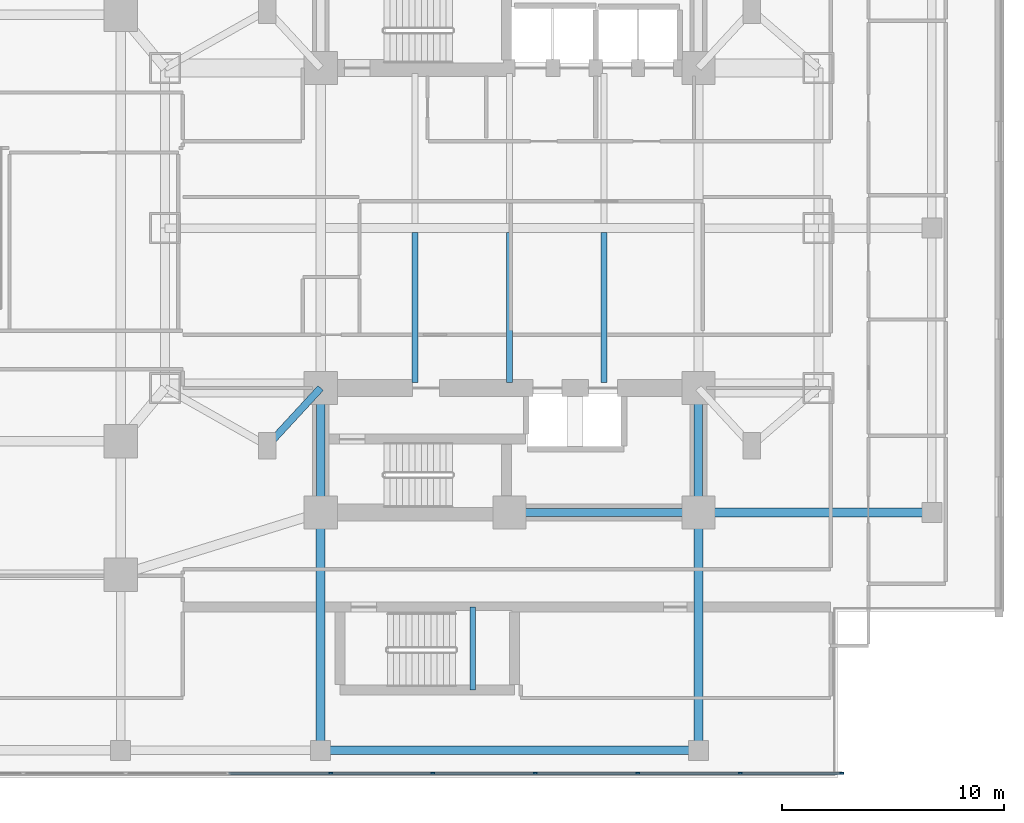
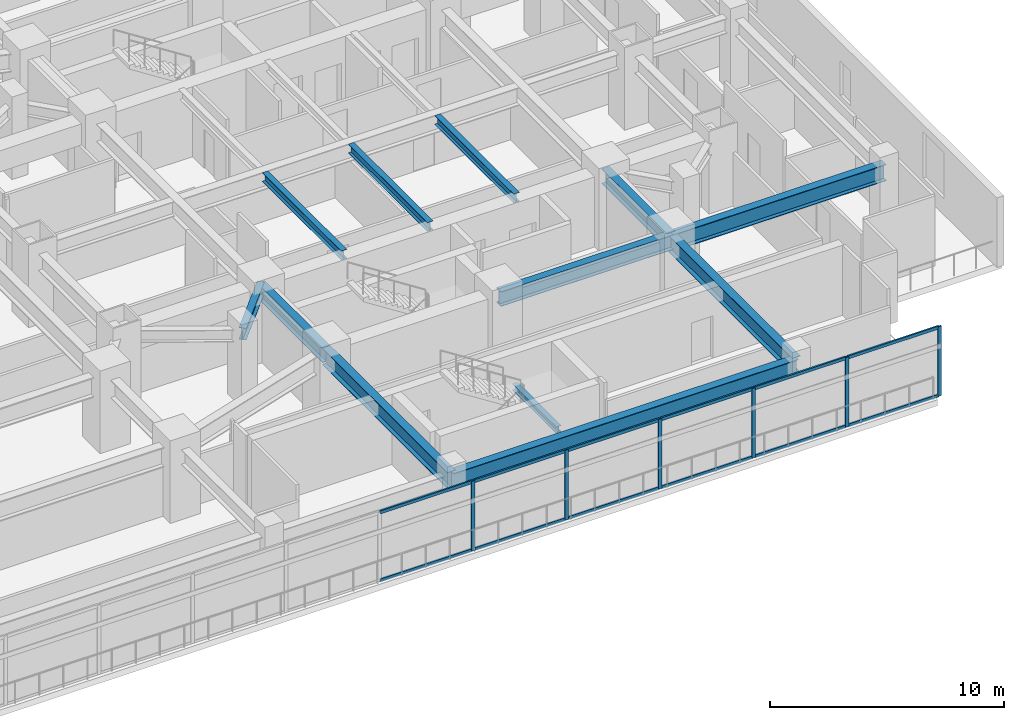
# One storey, part 8 of 26: 18 members, 12 beams, 1 element without a shape of its own.
"""IFC4 building model written with IfcOpenShell, lengths in metres."""

from ifc_helpers import new_model, si_unit, direction, frame, origin, origin_2d, place, context, subcontext, project, spatial, rectangle, i_section, extrude, material, material_profile, profile_set, type_object, element, aggregate, save


model = new_model("IFC4")

# Units and contexts
model_context = context("Model", 3, precision=1e-05, world=origin(), true_north=direction((0.0, 1.0)))
body_context = subcontext(model_context, "Body", "Model", "MODEL_VIEW")
ifc_project = project(units=[si_unit("LENGTHUNIT", "METRE"), si_unit("AREAUNIT", "SQUARE_METRE"), si_unit("VOLUMEUNIT", "CUBIC_METRE"), si_unit("PLANEANGLEUNIT", "RADIAN"), si_unit("MASSUNIT", "GRAM", prefix="KILO")], contexts=[model_context])

# Site, building, storey
site_placement = place(None, origin())
site = spatial("IfcSite", under=ifc_project, at=site_placement, CompositionType="ELEMENT")
building_placement = place(site_placement, origin())
building = spatial("IfcBuilding", under=site, at=building_placement, Name="Mirazonda Arch Towers", CompositionType="ELEMENT")
storey_placement = place(building_placement, frame((0.0, 0.0, 13.800048828125)))
storey = spatial("IfcBuildingStorey", under=building, at=storey_placement, Name="L03", CompositionType="ELEMENT", Elevation=13.800048828125)

# Beams
ifc_material_1 = material(Name="Steel ASTM A992 Grade 50", Category="steel")
ifc_material_profile_1 = material_profile(ifc_material_1, i_section(OverallWidth=0.39990234375, OverallDepth=0.85595703125, WebThickness=0.018310546875, FlangeThickness=0.029296875, at=origin_2d()), Name="W33X201")
ifc_profile_set_1 = profile_set([ifc_material_profile_1], Name="Steel ASTM A992 Grade 50")
beam_type_1 = type_object("IfcBeamType", Name="BM-EXT-W33X201", PredefinedType="USERDEFINED", material=ifc_profile_set_1)
beam_1_placement = place(storey_placement, frame((68.0, 4.5, 3.221923828125), z_axis=(1.0, 0.0, 0.0), x_axis=(0.0, 1.0, 0.0)))
element("IfcBeam", 1, at=beam_1_placement, inside=storey, type_object=beam_type_1, Name="L03 Floor Beam BM-POD-L03-PS-5", ObjectType="GIRDER", PredefinedType="USERDEFINED", context=body_context, shape_type="SweptSolid", body=[
    extrude(i_section(OverallWidth=0.39990234375, OverallDepth=0.85595703125, WebThickness=0.018310546875, FlangeThickness=0.029296875, at=origin_2d()), origin(), (0.0, 0.0, 1.0), 17.0),
])
ifc_material_profile_2 = material_profile(ifc_material_1, i_section(OverallWidth=0.257080078125, OverallDepth=0.330078125, WebThickness=0.011962890625, FlangeThickness=0.01953125, at=origin_2d()), Name="W10X68")
ifc_profile_set_2 = profile_set([ifc_material_profile_2], Name="Steel ASTM A992 Grade 50")
beam_type_2 = type_object("IfcBeamType", Name="BM-INT-W10X68", PredefinedType="BEAM", material=ifc_profile_set_2)
beam_2_placement = place(storey_placement, frame((74.85009765625, 7.219970703125, 1.784912109375), z_axis=(0.0, 1.0, 0.0), x_axis=(-1.0, 0.0, 0.0)))
element("IfcBeam", 2, at=beam_2_placement, inside=storey, type_object=beam_type_2, Name="L03 ST-POD2 Landing Trimmer Beam", PredefinedType="BEAM", context=body_context, shape_type="SweptSolid", body=[
    extrude(i_section(OverallWidth=0.257080078125, OverallDepth=0.330078125, WebThickness=0.011962890625, FlangeThickness=0.01953125, at=origin_2d()), origin(), (0.0, 0.0, 1.0), 3.72998046875),
])
ifc_material_profile_3 = material_profile(ifc_material_1, i_section(OverallWidth=0.280029296875, OverallDepth=0.462890625, WebThickness=0.0107421875, FlangeThickness=0.017333984375, at=origin_2d()), Name="W18X76")
ifc_profile_set_3 = profile_set([ifc_material_profile_3], Name="Steel ASTM A992 Grade 50")
beam_type_3 = type_object("IfcBeamType", Name="BM-INT-W18X76", PredefinedType="JOIST", material=ifc_profile_set_3)
for number, where, z_axis, x_axis, name in (
    (3, (72.25, 21.0400390625, 3.41845703125), (0.0, 1.0, 0.0), (-1.0, 0.0, 0.0), "L03 Floor Beam BM-T2-L03-J-722-20"),
    (4, (76.5, 21.0400390625, 3.41845703125), (0.0, 1.0, 0.0), (-1.0, 0.0, 0.0), "L03 Floor Beam BM-T2-L03-J-765-20"),
    (5, (80.75, 21.0400390625, 3.41845703125), (0.0, 1.0, 0.0), (-1.0, 0.0, 0.0), "L03 Floor Beam BM-T2-L03-J-807-20"),
):
    element("IfcBeam", number, at=place(storey_placement, frame(where, z_axis=z_axis, x_axis=x_axis)), inside=storey, type_object=beam_type_3, Name=name, PredefinedType="JOIST", context=body_context, shape_type="SweptSolid", body=[
        extrude(i_section(OverallWidth=0.280029296875, OverallDepth=0.462890625, WebThickness=0.0107421875, FlangeThickness=0.017333984375, at=origin_2d()), origin(), (0.0, 0.0, 1.0), 6.7548828125),
    ])
ifc_material_profile_4 = material_profile(ifc_material_1, i_section(OverallWidth=0.324951171875, OverallDepth=0.615966796875, WebThickness=0.013916015625, FlangeThickness=0.021484375, at=origin_2d()), Name="W24X117")
ifc_profile_set_4 = profile_set([ifc_material_profile_4], Name="Steel ASTM A992 Grade 50")
beam_type_4 = type_object("IfcBeamType", Name="BM-INT-W24X117", PredefinedType="BEAM", material=ifc_profile_set_4)
beam_3_placement = place(storey_placement, frame((65.60009765625, 18.199951171875, 3.342041015625), z_axis=(0.678251444854, 0.734829897019, 0.0), x_axis=(-0.734829897019, 0.678251444854, 0.0)))
element("IfcBeam", 6, at=beam_3_placement, inside=storey, type_object=beam_type_4, Name="L03 Floor Beam BM-T2-L03-PL-SW1", PredefinedType="BEAM", context=body_context, shape_type="SweptSolid", body=[
    extrude(i_section(OverallWidth=0.324951171875, OverallDepth=0.615966796875, WebThickness=0.013916015625, FlangeThickness=0.021484375, at=origin_2d()), origin(), (0.0, 0.0, 1.0), 3.538330078125),
])
ifc_material_profile_5 = material_profile(ifc_material_1, i_section(OverallWidth=0.381103515625, OverallDepth=0.77294921875, WebThickness=0.0166015625, FlangeThickness=0.027099609375, at=origin_2d()), Name="W30X173")
ifc_profile_set_5 = profile_set([ifc_material_profile_5], Name="Steel ASTM A992 Grade 50")
beam_type_5 = type_object("IfcBeamType", Name="BM-INT-W30X173", PredefinedType="USERDEFINED", material=ifc_profile_set_5)
beam_4_placement = place(storey_placement, frame((76.5, 15.199951171875, 3.263427734375), z_axis=(1.0, 0.0, 0.0), x_axis=(0.0, 1.0, 0.0)))
element("IfcBeam", 7, at=beam_4_placement, inside=storey, type_object=beam_type_5, Name="L03 Floor Beam BM-T2-L03-CS2", ObjectType="GIRDER", PredefinedType="USERDEFINED", context=body_context, shape_type="SweptSolid", body=[
    extrude(i_section(OverallWidth=0.381103515625, OverallDepth=0.77294921875, WebThickness=0.0166015625, FlangeThickness=0.027099609375, at=origin_2d()), origin(), (0.0, 0.0, 1.0), 8.5),
])
for number, where, z_axis, x_axis, name in (
    (8, (68.0, 15.199951171875, 3.263427734375), (0.0, 1.0, 0.0), (-1.0, 0.0, 0.0), "L03 Floor Beam BM-T2-L03-CSW"),
    (9, (85.0, 15.199951171875, 3.263427734375), (0.0, 1.0, 0.0), (-1.0, 0.0, 0.0), "L03 Floor Beam BM-T2-L03-CSE"),
):
    element("IfcBeam", number, at=place(storey_placement, frame(where, z_axis=z_axis, x_axis=x_axis)), inside=storey, type_object=beam_type_5, Name=name, ObjectType="GIRDER", PredefinedType="USERDEFINED", context=body_context, shape_type="SweptSolid", body=[
        extrude(i_section(OverallWidth=0.381103515625, OverallDepth=0.77294921875, WebThickness=0.0166015625, FlangeThickness=0.027099609375, at=origin_2d()), origin(), (0.0, 0.0, 1.0), 5.60009765625),
    ])
ifc_material_profile_6 = material_profile(ifc_material_1, i_section(OverallWidth=0.39990234375, OverallDepth=0.85595703125, WebThickness=0.018310546875, FlangeThickness=0.029296875, at=origin_2d()), Name="W33X201")
ifc_profile_set_6 = profile_set([ifc_material_profile_6], Name="Steel ASTM A992 Grade 50")
beam_type_6 = type_object("IfcBeamType", Name="BM-INT-W33X201", PredefinedType="USERDEFINED", material=ifc_profile_set_6)
for number, where, z_axis, x_axis, name in (
    (10, (68.0, 4.5, 3.221923828125), (0.0, 1.0, 0.0), (-1.0, 0.0, 0.0), "L03 Floor Beam BM-POD-L03-PCS-6"),
    (11, (85.0, 4.5, 3.221923828125), (0.0, 1.0, 0.0), (-1.0, 0.0, 0.0), "L03 Floor Beam BM-POD-L03-PCS-7"),
):
    element("IfcBeam", number, at=place(storey_placement, frame(where, z_axis=z_axis, x_axis=x_axis)), inside=storey, type_object=beam_type_6, Name=name, ObjectType="GIRDER", PredefinedType="USERDEFINED", context=body_context, shape_type="SweptSolid", body=[
        extrude(i_section(OverallWidth=0.39990234375, OverallDepth=0.85595703125, WebThickness=0.018310546875, FlangeThickness=0.029296875, at=origin_2d()), origin(), (0.0, 0.0, 1.0), 10.699951171875),
    ])
beam_5_placement = place(storey_placement, frame((85.0, 15.199951171875, 3.221923828125), z_axis=(1.0, 0.0, 0.0), x_axis=(0.0, 1.0, 0.0)))
element("IfcBeam", 12, at=beam_5_placement, inside=storey, type_object=beam_type_6, Name="L03 Floor Beam BM-POD-L03-PCE-1", ObjectType="GIRDER", PredefinedType="USERDEFINED", context=body_context, shape_type="SweptSolid", body=[
    extrude(i_section(OverallWidth=0.39990234375, OverallDepth=0.85595703125, WebThickness=0.018310546875, FlangeThickness=0.029296875, at=origin_2d()), origin(), (0.0, 0.0, 1.0), 10.5),
])

# Curtain wall, members
ifc_material_2 = material(Name="Anodised Aluminium and Low-E Glass", Category="aluminium")
curtain_wall_type = type_object("IfcCurtainWallType", Name="CW-POD-STORE", PredefinedType="NOTDEFINED", material=ifc_material_2)
curtain_wall_placement = place(storey_placement, origin())
curtain_wall = element("IfcCurtainWall", 13, at=curtain_wall_placement, inside=storey, type_object=curtain_wall_type, Name="L03 Curtain Wall CW-L03-S1", PredefinedType="NOTDEFINED")
ifc_material_3 = material(Name="Anodised Aluminium Alloy", Category="aluminium")
ifc_material_profile_7 = material_profile(ifc_material_3, rectangle(XDim=0.080078125, YDim=0.179931640625, at=origin_2d()), Name="ALU-MULL-80x180")
ifc_profile_set_7 = profile_set([ifc_material_profile_7], Name="Anodised Aluminium Alloy")
member_type_1 = type_object("IfcMemberType", Name="MULL-CW-POD-STORE", PredefinedType="MULLION", material=ifc_profile_set_7)
member_1_placement = place(storey_placement, frame((91.4599609375, 3.469970703125, 0.0), z_axis=(0.0, 0.0, 1.0), x_axis=(0.0, -1.0, 0.0)))
member_1 = element("IfcMember", 14, at=member_1_placement, type_object=member_type_1, Name="CW-102 mullion 1", PredefinedType="MULLION", context=body_context, shape_type="SweptSolid", body=[
    extrude(rectangle(XDim=0.080078125, YDim=0.179931640625, at=origin_2d()), origin(), (0.0, 0.0, 1.0), 3.6298828125),
])
member_2_placement = place(storey_placement, frame((86.888916015625, 3.469970703125, 0.0), z_axis=(0.0, 0.0, 1.0), x_axis=(0.0, -1.0, 0.0)))
member_2 = element("IfcMember", 15, at=member_2_placement, type_object=member_type_1, Name="CW-102 mullion 2", PredefinedType="MULLION", context=body_context, shape_type="SweptSolid", body=[
    extrude(rectangle(XDim=0.080078125, YDim=0.179931640625, at=origin_2d()), origin(), (0.0, 0.0, 1.0), 3.6298828125),
])
member_3_placement = place(storey_placement, frame((82.27783203125, 3.469970703125, 0.0), z_axis=(0.0, 0.0, 1.0), x_axis=(0.0, -1.0, 0.0)))
member_3 = element("IfcMember", 16, at=member_3_placement, type_object=member_type_1, Name="CW-102 mullion 3", PredefinedType="MULLION", context=body_context, shape_type="SweptSolid", body=[
    extrude(rectangle(XDim=0.080078125, YDim=0.179931640625, at=origin_2d()), origin(), (0.0, 0.0, 1.0), 3.6298828125),
])
member_4_placement = place(storey_placement, frame((77.666748046875, 3.469970703125, 0.0), z_axis=(0.0, 0.0, 1.0), x_axis=(0.0, -1.0, 0.0)))
member_4 = element("IfcMember", 17, at=member_4_placement, type_object=member_type_1, Name="CW-102 mullion 4", PredefinedType="MULLION", context=body_context, shape_type="SweptSolid", body=[
    extrude(rectangle(XDim=0.080078125, YDim=0.179931640625, at=origin_2d()), origin(), (0.0, 0.0, 1.0), 3.6298828125),
])
member_5_placement = place(storey_placement, frame((73.0556640625, 3.469970703125, 0.0), z_axis=(0.0, 0.0, 1.0), x_axis=(0.0, -1.0, 0.0)))
member_5 = element("IfcMember", 18, at=member_5_placement, type_object=member_type_1, Name="CW-102 mullion 5", PredefinedType="MULLION", context=body_context, shape_type="SweptSolid", body=[
    extrude(rectangle(XDim=0.080078125, YDim=0.179931640625, at=origin_2d()), origin(), (0.0, 0.0, 1.0), 3.6298828125),
])
member_6_placement = place(storey_placement, frame((68.4443359375, 3.469970703125, 0.0), z_axis=(0.0, 0.0, 1.0), x_axis=(0.0, -1.0, 0.0)))
member_6 = element("IfcMember", 19, at=member_6_placement, type_object=member_type_1, Name="CW-102 mullion 6", PredefinedType="MULLION", context=body_context, shape_type="SweptSolid", body=[
    extrude(rectangle(XDim=0.080078125, YDim=0.179931640625, at=origin_2d()), origin(), (0.0, 0.0, 1.0), 3.6298828125),
])
ifc_material_profile_8 = material_profile(ifc_material_3, rectangle(XDim=0.080078125, YDim=0.159912109375, at=origin_2d()), Name="ALU-TRAN-80x160")
ifc_profile_set_8 = profile_set([ifc_material_profile_8], Name="Anodised Aluminium Alloy")
member_type_2 = type_object("IfcMemberType", Name="TRAN-CW-POD-STORE", PredefinedType="USERDEFINED", material=ifc_profile_set_8)
member_7_placement = place(storey_placement, frame((91.419921875, 3.469970703125, 0.0400390625), z_axis=(-1.0, 0.0, 0.0), x_axis=(0.0, -1.0, 0.0)))
member_7 = element("IfcMember", 20, at=member_7_placement, type_object=member_type_2, Name="CW-102 transom 1.1", ObjectType="TRANSOM", PredefinedType="USERDEFINED", context=body_context, shape_type="SweptSolid", body=[
    extrude(rectangle(XDim=0.080078125, YDim=0.159912109375, at=origin_2d()), origin(), (0.0, 0.0, 1.0), 4.490966796875),
])
member_8_placement = place(storey_placement, frame((91.419921875, 3.469970703125, 3.58984375), z_axis=(-1.0, 0.0, 0.0), x_axis=(0.0, -1.0, 0.0)))
member_8 = element("IfcMember", 21, at=member_8_placement, type_object=member_type_2, Name="CW-102 transom 1.2", ObjectType="TRANSOM", PredefinedType="USERDEFINED", context=body_context, shape_type="SweptSolid", body=[
    extrude(rectangle(XDim=0.080078125, YDim=0.159912109375, at=origin_2d()), origin(), (0.0, 0.0, 1.0), 4.490966796875),
])
member_9_placement = place(storey_placement, frame((86.848876953125, 3.469970703125, 0.0400390625), z_axis=(-1.0, 0.0, 0.0), x_axis=(0.0, -1.0, 0.0)))
member_9 = element("IfcMember", 22, at=member_9_placement, type_object=member_type_2, Name="CW-102 transom 2.1", ObjectType="TRANSOM", PredefinedType="USERDEFINED", context=body_context, shape_type="SweptSolid", body=[
    extrude(rectangle(XDim=0.080078125, YDim=0.159912109375, at=origin_2d()), origin(), (0.0, 0.0, 1.0), 4.531005859375),
])
member_10_placement = place(storey_placement, frame((86.848876953125, 3.469970703125, 3.58984375), z_axis=(-1.0, 0.0, 0.0), x_axis=(0.0, -1.0, 0.0)))
member_10 = element("IfcMember", 23, at=member_10_placement, type_object=member_type_2, Name="CW-102 transom 2.2", ObjectType="TRANSOM", PredefinedType="USERDEFINED", context=body_context, shape_type="SweptSolid", body=[
    extrude(rectangle(XDim=0.080078125, YDim=0.159912109375, at=origin_2d()), origin(), (0.0, 0.0, 1.0), 4.531005859375),
])
member_11_placement = place(storey_placement, frame((82.23779296875, 3.469970703125, 0.0400390625), z_axis=(-1.0, 0.0, 0.0), x_axis=(0.0, -1.0, 0.0)))
member_11 = element("IfcMember", 24, at=member_11_placement, type_object=member_type_2, Name="CW-102 transom 3.1", ObjectType="TRANSOM", PredefinedType="USERDEFINED", context=body_context, shape_type="SweptSolid", body=[
    extrude(rectangle(XDim=0.080078125, YDim=0.159912109375, at=origin_2d()), origin(), (0.0, 0.0, 1.0), 4.531005859375),
])
member_12_placement = place(storey_placement, frame((82.23779296875, 3.469970703125, 3.58984375), z_axis=(-1.0, 0.0, 0.0), x_axis=(0.0, -1.0, 0.0)))
member_12 = element("IfcMember", 25, at=member_12_placement, type_object=member_type_2, Name="CW-102 transom 3.2", ObjectType="TRANSOM", PredefinedType="USERDEFINED", context=body_context, shape_type="SweptSolid", body=[
    extrude(rectangle(XDim=0.080078125, YDim=0.159912109375, at=origin_2d()), origin(), (0.0, 0.0, 1.0), 4.531005859375),
])
member_13_placement = place(storey_placement, frame((77.626708984375, 3.469970703125, 0.0400390625), z_axis=(-1.0, 0.0, 0.0), x_axis=(0.0, -1.0, 0.0)))
member_13 = element("IfcMember", 26, at=member_13_placement, type_object=member_type_2, Name="CW-102 transom 4.1", ObjectType="TRANSOM", PredefinedType="USERDEFINED", context=body_context, shape_type="SweptSolid", body=[
    extrude(rectangle(XDim=0.080078125, YDim=0.159912109375, at=origin_2d()), origin(), (0.0, 0.0, 1.0), 4.53125),
])
member_14_placement = place(storey_placement, frame((77.626708984375, 3.469970703125, 3.58984375), z_axis=(-1.0, 0.0, 0.0), x_axis=(0.0, -1.0, 0.0)))
member_14 = element("IfcMember", 27, at=member_14_placement, type_object=member_type_2, Name="CW-102 transom 4.2", ObjectType="TRANSOM", PredefinedType="USERDEFINED", context=body_context, shape_type="SweptSolid", body=[
    extrude(rectangle(XDim=0.080078125, YDim=0.159912109375, at=origin_2d()), origin(), (0.0, 0.0, 1.0), 4.53125),
])
member_15_placement = place(storey_placement, frame((73.015625, 3.469970703125, 0.0400390625), z_axis=(-1.0, 0.0, 0.0), x_axis=(0.0, -1.0, 0.0)))
member_15 = element("IfcMember", 28, at=member_15_placement, type_object=member_type_2, Name="CW-102 transom 5.1", ObjectType="TRANSOM", PredefinedType="USERDEFINED", context=body_context, shape_type="SweptSolid", body=[
    extrude(rectangle(XDim=0.080078125, YDim=0.159912109375, at=origin_2d()), origin(), (0.0, 0.0, 1.0), 4.53125),
])
member_16_placement = place(storey_placement, frame((73.015625, 3.469970703125, 3.58984375), z_axis=(-1.0, 0.0, 0.0), x_axis=(0.0, -1.0, 0.0)))
member_16 = element("IfcMember", 29, at=member_16_placement, type_object=member_type_2, Name="CW-102 transom 5.2", ObjectType="TRANSOM", PredefinedType="USERDEFINED", context=body_context, shape_type="SweptSolid", body=[
    extrude(rectangle(XDim=0.080078125, YDim=0.159912109375, at=origin_2d()), origin(), (0.0, 0.0, 1.0), 4.53125),
])
member_17_placement = place(storey_placement, frame((68.404541015625, 3.469970703125, 0.0400390625), z_axis=(-1.0, 0.0, 0.0), x_axis=(0.0, -1.0, 0.0)))
member_17 = element("IfcMember", 30, at=member_17_placement, type_object=member_type_2, Name="CW-102 transom 6.1", ObjectType="TRANSOM", PredefinedType="USERDEFINED", context=body_context, shape_type="SweptSolid", body=[
    extrude(rectangle(XDim=0.080078125, YDim=0.159912109375, at=origin_2d()), origin(), (0.0, 0.0, 1.0), 4.53125),
])
member_18_placement = place(storey_placement, frame((68.404541015625, 3.469970703125, 3.58984375), z_axis=(-1.0, 0.0, 0.0), x_axis=(0.0, -1.0, 0.0)))
member_18 = element("IfcMember", 31, at=member_18_placement, type_object=member_type_2, Name="CW-102 transom 6.2", ObjectType="TRANSOM", PredefinedType="USERDEFINED", context=body_context, shape_type="SweptSolid", body=[
    extrude(rectangle(XDim=0.080078125, YDim=0.159912109375, at=origin_2d()), origin(), (0.0, 0.0, 1.0), 4.53125),
])
aggregate(curtain_wall, [member_1, member_2, member_3, member_4, member_5, member_6, member_7, member_8, member_9, member_10, member_11, member_12, member_13, member_14, member_15, member_16, member_17, member_18])

save(model, "model.ifc")
